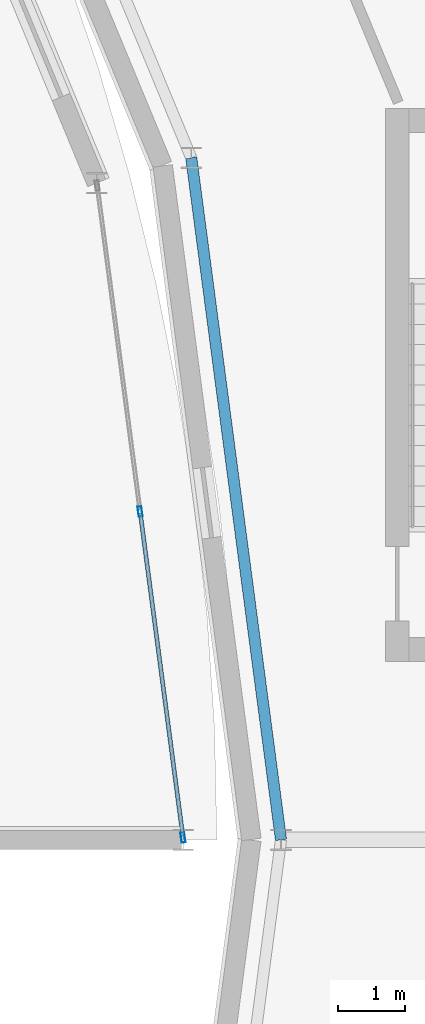
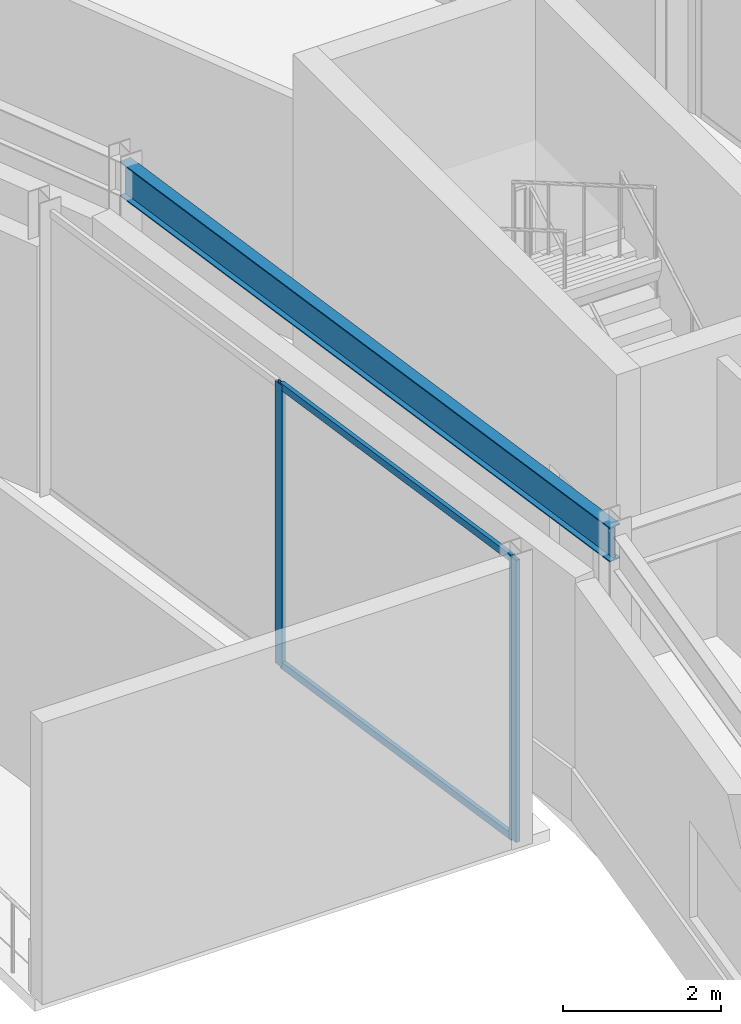
# One storey, part 26 of 116: 4 members, 1 beam, 1 element without a shape of its own.
"""IFC4 building model written with IfcOpenShell, lengths in metres."""

from ifc_helpers import new_model, si_unit, direction, frame, origin, origin_2d, place, context, subcontext, project, spatial, hollow_rectangle, i_section, extrude, material, material_profile, profile_set, type_object, element, aggregate, save


model = new_model("IFC4")

# Units and contexts
model_context = context("Model", 3, precision=1e-05, world=origin(), true_north=direction((0.0, 1.0)))
body_context = subcontext(model_context, "Body", "Model", "MODEL_VIEW")
ifc_project = project(units=[si_unit("LENGTHUNIT", "METRE"), si_unit("AREAUNIT", "SQUARE_METRE"), si_unit("VOLUMEUNIT", "CUBIC_METRE"), si_unit("PLANEANGLEUNIT", "RADIAN"), si_unit("MASSUNIT", "GRAM", prefix="KILO")], contexts=[model_context])

# Site, building, storey
site_placement = place(None, origin())
site = spatial("IfcSite", under=ifc_project, at=site_placement, CompositionType="ELEMENT")
building_placement = place(site_placement, origin())
building = spatial("IfcBuilding", under=site, at=building_placement, Name="Almandine Court Research Institute", CompositionType="ELEMENT")
storey_placement = place(building_placement, frame((0.0, 0.0, 14.35009765625)))
storey = spatial("IfcBuildingStorey", under=building, at=storey_placement, Name="L03", CompositionType="ELEMENT", Elevation=14.35009765625)

# Beam
ifc_material_1 = material(Name="Steel ASTM A992 Grade 50", Category="steel")
ifc_material_profile_1 = material_profile(ifc_material_1, i_section(OverallWidth=0.166015625, OverallDepth=0.534912109375, WebThickness=0.010009765625, FlangeThickness=0.01708984375, at=origin_2d()), Name="W530x85")
ifc_profile_set_1 = profile_set([ifc_material_profile_1], Name="Steel ASTM A992 Grade 50")
beam_type = type_object("IfcBeamType", Name="Beam-G-05-E", PredefinedType="SPANDREL", material=ifc_profile_set_1)
beam_placement = place(storey_placement, frame((126.10009765625, 56.0, 4.102783203125), z_axis=(-0.130496584681, 0.991448758831, 0.0), x_axis=(-0.991448758831, -0.130496584681, 0.0)))
element("IfcBeam", 1, at=beam_placement, inside=storey, type_object=beam_type, Name="L03 Drum IN Ring Beam 00", PredefinedType="SPANDREL", context=body_context, shape_type="SweptSolid", body=[
    extrude(i_section(OverallWidth=0.166015625, OverallDepth=0.534912109375, WebThickness=0.010009765625, FlangeThickness=0.01708984375, at=origin_2d()), origin(), (0.0, 0.0, 1.0), 10.20751953125),
])

# Curtain wall, members
ifc_material_2 = material(Name="Unitised Curtain Wall Framing and Solar Glazing", Category="glass")
curtain_wall_type = type_object("IfcCurtainWallType", Name="CW-CWG-24", PredefinedType="USERDEFINED", material=ifc_material_2)
curtain_wall_placement = place(storey_placement, origin())
curtain_wall = element("IfcCurtainWall", 2, at=curtain_wall_placement, inside=storey, type_object=curtain_wall_type, Name="L03 Interaction Atrium Perimeter Curtain Wall 00", ObjectType="UNITISED GLAZING", PredefinedType="USERDEFINED")
ifc_material_3 = material(Name="Anodised Aluminium AW-6063-T6", Category="aluminium")
ifc_material_profile_2 = material_profile(ifc_material_3, hollow_rectangle(XDim=0.06005859375, YDim=0.14990234375, WallThickness=0.00390625, at=origin_2d()), Name="ALU RHS 60x150x4")
ifc_profile_set_2 = profile_set([ifc_material_profile_2], Name="Anodised Aluminium AW-6063-T6")
member_type_1 = type_object("IfcMemberType", Name="CWMul-60x150", PredefinedType="MULLION", material=ifc_profile_set_2)
member_1_placement = place(storey_placement, frame((124.009033203125, 60.87255859375, 0.0), z_axis=(0.0, 0.0, 1.0), x_axis=(0.991443548509, 0.130536164028, 0.0)))
member_1 = element("IfcMember", 3, at=member_1_placement, type_object=member_type_1, Name="CWG-24 mullion 2", PredefinedType="MULLION", context=body_context, shape_type="SweptSolid", body=[
    extrude(hollow_rectangle(XDim=0.06005859375, YDim=0.14990234375, WallThickness=0.00390625, at=origin_2d()), origin(), (0.0, 0.0, 1.0), 4.369873046875),
])
member_2_placement = place(storey_placement, frame((124.64599609375, 56.03369140625, 0.0), z_axis=(0.0, 0.0, 1.0), x_axis=(0.991443548509, 0.130536164028, 0.0)))
member_2 = element("IfcMember", 4, at=member_2_placement, type_object=member_type_1, Name="CWG-24 mullion 3", PredefinedType="MULLION", context=body_context, shape_type="SweptSolid", body=[
    extrude(hollow_rectangle(XDim=0.06005859375, YDim=0.14990234375, WallThickness=0.00390625, at=origin_2d()), origin(), (0.0, 0.0, 1.0), 4.369873046875),
])
ifc_material_profile_3 = material_profile(ifc_material_3, hollow_rectangle(XDim=0.06005859375, YDim=0.110107421875, WallThickness=0.00390625, at=origin_2d()), Name="ALU RHS 60x110x4")
ifc_profile_set_3 = profile_set([ifc_material_profile_3], Name="Anodised Aluminium AW-6063-T6")
member_type_2 = type_object("IfcMemberType", Name="CWTrn-60x110", PredefinedType="NOTDEFINED", material=ifc_profile_set_3)
member_3_placement = place(storey_placement, frame((124.012939453125, 60.8427734375, 0.02978515625), z_axis=(0.130514777294, -0.99144636411, 0.0), x_axis=(0.99144636411, 0.130514777294, 0.0)))
member_3 = element("IfcMember", 5, at=member_3_placement, type_object=member_type_2, Name="CWG-24 transom 2.1", ObjectType="TRANSOM", PredefinedType="USERDEFINED", context=body_context, shape_type="SweptSolid", body=[
    extrude(hollow_rectangle(XDim=0.06005859375, YDim=0.110107421875, WallThickness=0.00390625, at=origin_2d()), origin(), (0.0, 0.0, 1.0), 4.820556640625),
])
member_4_placement = place(storey_placement, frame((124.012939453125, 60.8427734375, 4.33984375), z_axis=(0.130514777294, -0.99144636411, 0.0), x_axis=(0.99144636411, 0.130514777294, 0.0)))
member_4 = element("IfcMember", 6, at=member_4_placement, type_object=member_type_2, Name="CWG-24 transom 2.2", ObjectType="TRANSOM", PredefinedType="USERDEFINED", context=body_context, shape_type="SweptSolid", body=[
    extrude(hollow_rectangle(XDim=0.06005859375, YDim=0.110107421875, WallThickness=0.00390625, at=origin_2d()), origin(), (0.0, 0.0, 1.0), 4.820556640625),
])
aggregate(curtain_wall, [member_1, member_2, member_3, member_4])

save(model, "model.ifc")
